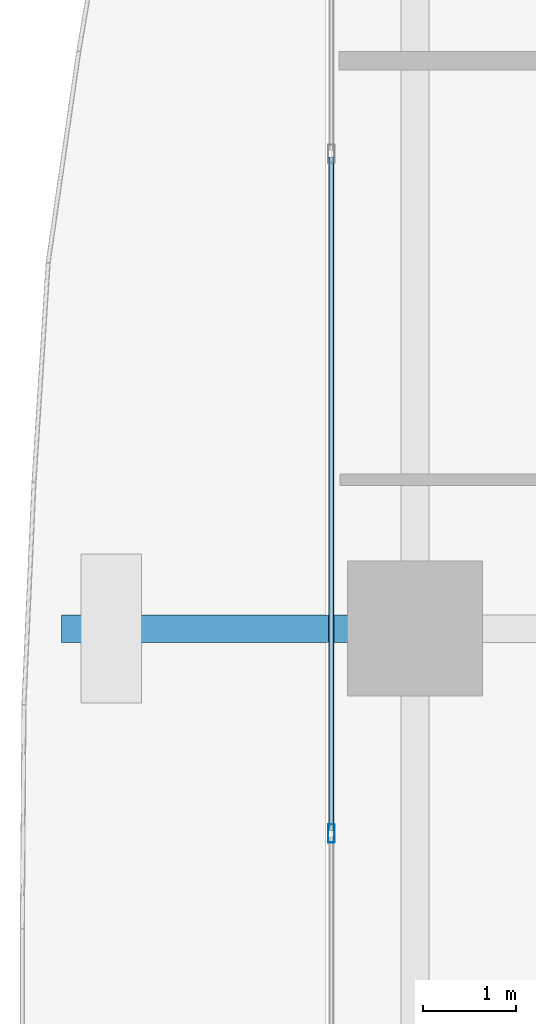
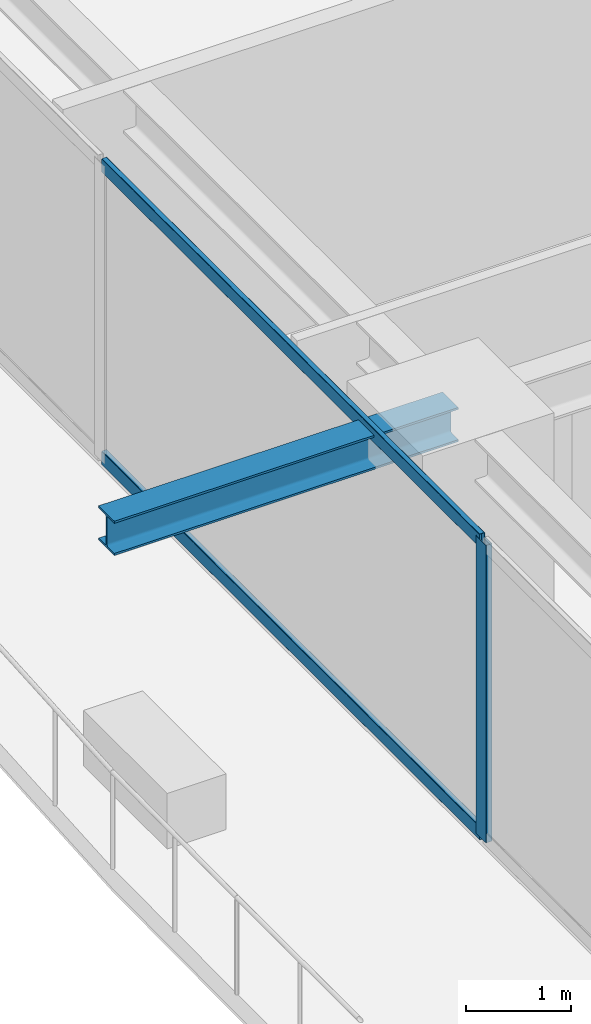
# One storey, part 8 of 36: 3 members, 1 beam, 1 element without a shape of its own.
"""IFC4 building model written with IfcOpenShell, lengths in metres."""

from ifc_helpers import new_model, si_unit, direction, frame, origin, origin_2d, place, context, subcontext, project, spatial, hollow_rectangle, i_section, extrude, source, transform, mapped, material, layer, layer_set, material_profile, profile_set, type_object, element, aggregate, save


model = new_model("IFC4")

# Units and contexts
model_context = context("Model", 3, precision=1e-05, world=origin(), true_north=direction((0.0, 1.0)))
body_context = subcontext(model_context, "Body", "Model", "MODEL_VIEW")
ifc_project = project(units=[si_unit("LENGTHUNIT", "METRE"), si_unit("AREAUNIT", "SQUARE_METRE"), si_unit("VOLUMEUNIT", "CUBIC_METRE"), si_unit("PLANEANGLEUNIT", "RADIAN"), si_unit("MASSUNIT", "GRAM", prefix="KILO")], contexts=[model_context])

# Site, building, storey
site_placement = place(None, origin())
site = spatial("IfcSite", under=ifc_project, at=site_placement, CompositionType="ELEMENT")
building_placement = place(site_placement, origin())
building = spatial("IfcBuilding", under=site, at=building_placement, Name="Serunith Strait Residences", CompositionType="ELEMENT")
storey_placement = place(building_placement, frame((0.0, 0.0, 86.699951171875)))
storey = spatial("IfcBuildingStorey", under=building, at=storey_placement, Name="L21", CompositionType="ELEMENT", Elevation=86.699951171875)

# Beam
ifc_material_1 = material(Name="Steel S355J2", Category="steel")
ifc_material_profile_1 = material_profile(ifc_material_1, i_section(OverallWidth=0.300048828125, OverallDepth=0.39990234375, WebThickness=0.013427734375, FlangeThickness=0.02392578125, FilletRadius=0.027099609375, at=origin_2d()), Name="HEB 400")
ifc_profile_set_1 = profile_set([ifc_material_profile_1], Name="Steel S355J2")
beam_type = type_object("IfcBeamType", Name="BM-HEB400", PredefinedType="BEAM", material=ifc_profile_set_1)
shared_shape_1 = source(origin(), body_context, "Body", "SweptSolid", [
    extrude(i_section(OverallWidth=0.300048828125, OverallDepth=0.39990234375, WebThickness=0.013427734375, FlangeThickness=0.02392578125, FilletRadius=0.027099609375, at=origin_2d()), origin(), (0.0, 0.0, 1.0), 3.7998046875),
])
beam_placement = place(storey_placement, frame((6.89990234375, 29.39990234375, 3.257080078125), z_axis=(-1.0, 0.0, 0.0), x_axis=(0.0, -1.0, 0.0)))
element("IfcBeam", 1, at=beam_placement, inside=storey, type_object=beam_type, Name="L22 Cantilevered Balcony Rib TC-W3", PredefinedType="BEAM", context=body_context, shape_type="MappedRepresentation", body=[
    mapped(shared_shape_1, transform((0.0, 0.0, 0.0), scale=1.0)),
])

# Curtain wall, members
ifc_material_2 = material(Name="Pale-Champagne Anodised Aluminium", Category="aluminium")
ifc_layer = layer(ifc_material_2, 0.199951171875, Name="Pale-Champagne Anodised Aluminium")
ifc_layer_set = layer_set([ifc_layer], Name="Pale-Champagne Anodised Aluminium")
curtain_wall_type = type_object("IfcCurtainWallType", Name="CW-SYS1", PredefinedType="NOTDEFINED", material=ifc_layer_set)
curtain_wall_placement = place(storey_placement, origin())
curtain_wall = element("IfcCurtainWall", 2, at=curtain_wall_placement, inside=storey, type_object=curtain_wall_type, Name="L21 W Unitised Fritted Curtain Wall", PredefinedType="NOTDEFINED")
ifc_material_profile_2 = material_profile(ifc_material_2, hollow_rectangle(XDim=0.070068359375, YDim=0.199951171875, WallThickness=0.00390625, InnerFilletRadius=0.006103515625, OuterFilletRadius=0.010009765625, at=origin_2d()), Name="ALU 200x70x4")
ifc_profile_set_2 = profile_set([ifc_material_profile_2], Name="Pale-Champagne Anodised Aluminium")
member_type_1 = type_object("IfcMemberType", Name="CW-SYS1-MULL", PredefinedType="MULLION", material=ifc_profile_set_2)
shared_shape_2 = source(origin(), body_context, "Body", "SweptSolid", [
    extrude(hollow_rectangle(XDim=0.070068359375, YDim=0.199951171875, WallThickness=0.00390625, InnerFilletRadius=0.006103515625, OuterFilletRadius=0.010009765625, at=origin_2d()), origin(), (0.0, 0.0, 1.0), 3.47509765625),
])
member_1_placement = place(storey_placement, frame((6.0, 27.199951171875, 0.0), z_axis=(0.0, 0.0, 1.0), x_axis=(1.0, 0.0, 0.0)))
member_1 = element("IfcMember", 3, at=member_1_placement, type_object=member_type_1, Name="CW-1 mullion 3", PredefinedType="MULLION", context=body_context, shape_type="MappedRepresentation", body=[
    mapped(shared_shape_2, transform((0.0, 0.0, 0.0), scale=1.0)),
])
ifc_material_profile_3 = material_profile(ifc_material_2, hollow_rectangle(XDim=0.06005859375, YDim=0.159912109375, WallThickness=0.00341796875, InnerFilletRadius=0.00537109375, OuterFilletRadius=0.0087890625, at=origin_2d()), Name="ALU 160x60x3.5")
ifc_profile_set_3 = profile_set([ifc_material_profile_3], Name="Pale-Champagne Anodised Aluminium")
member_type_2 = type_object("IfcMemberType", Name="CW-SYS1-TRAN", PredefinedType="USERDEFINED", material=ifc_profile_set_3)
shared_shape_3 = source(origin(), body_context, "Body", "SweptSolid", [
    extrude(hollow_rectangle(XDim=0.06005859375, YDim=0.159912109375, WallThickness=0.00341796875, InnerFilletRadius=0.00537109375, OuterFilletRadius=0.0087890625, at=origin_2d()), origin(), (0.0, 0.0, 1.0), 7.22998046875),
])
member_2_placement = place(storey_placement, frame((6.0, 34.465087890625, 0.030029296875), z_axis=(0.0, -1.0, 0.0), x_axis=(1.0, 0.0, 0.0)))
member_2 = element("IfcMember", 4, at=member_2_placement, type_object=member_type_2, Name="CW-1 transom 2.1", ObjectType="TRANSOM", PredefinedType="USERDEFINED", context=body_context, shape_type="MappedRepresentation", body=[
    mapped(shared_shape_3, transform((0.0, 0.0, 0.0), scale=1.0)),
])
member_3_placement = place(storey_placement, frame((6.0, 34.465087890625, 3.445068359375), z_axis=(0.0, -1.0, 0.0), x_axis=(1.0, 0.0, 0.0)))
member_3 = element("IfcMember", 5, at=member_3_placement, type_object=member_type_2, Name="CW-1 transom 2.2", ObjectType="TRANSOM", PredefinedType="USERDEFINED", context=body_context, shape_type="MappedRepresentation", body=[
    mapped(shared_shape_3, transform((0.0, 0.0, 0.0), scale=1.0)),
])
aggregate(curtain_wall, [member_1, member_2, member_3])

save(model, "model.ifc")
